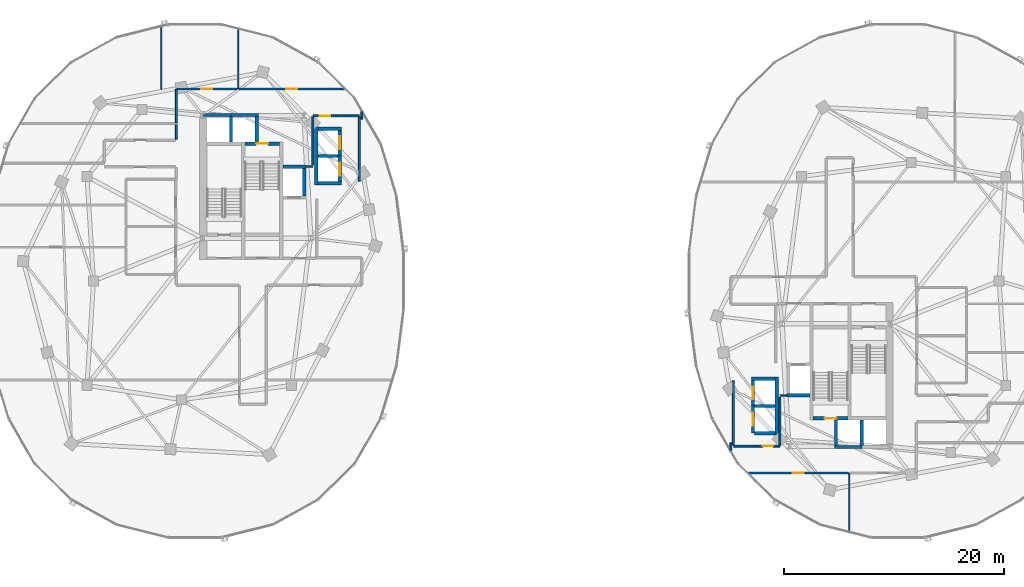
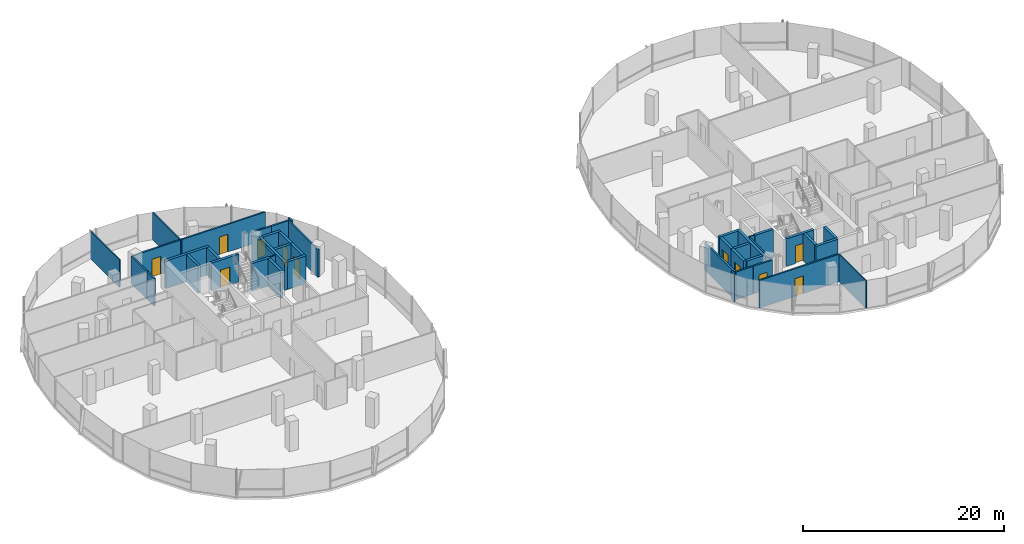
# One storey, part 13 of 22: 44 walls, 11 doors, 11 openings.
"""IFC4 building model written with IfcOpenShell, lengths in metres."""

from ifc_helpers import new_model, si_unit, direction, frame, frame_2d, origin, place, context, subcontext, project, spatial, rectangle, extrude, material, layer, layer_set, type_object, element, fill, save


model = new_model("IFC4")

# Units and contexts
model_context = context("Model", 3, precision=1e-05, world=origin(), true_north=direction((0.0, 1.0)))
body_context = subcontext(model_context, "Body", "Model", "MODEL_VIEW")
ifc_project = project(units=[si_unit("LENGTHUNIT", "METRE"), si_unit("AREAUNIT", "SQUARE_METRE"), si_unit("VOLUMEUNIT", "CUBIC_METRE"), si_unit("PLANEANGLEUNIT", "RADIAN"), si_unit("MASSUNIT", "GRAM", prefix="KILO"), si_unit("THERMODYNAMICTEMPERATUREUNIT", "KELVIN"), si_unit("POWERUNIT", "WATT")], contexts=[model_context])

# Site, building, storey
site_placement = place(None, origin())
site = spatial("IfcSite", under=ifc_project, at=site_placement, CompositionType="ELEMENT")
building_placement = place(site_placement, origin())
building = spatial("IfcBuilding", under=site, at=building_placement, Name="Cundina Bronze Exchange", CompositionType="ELEMENT")
storey_placement = place(building_placement, frame((0.0, 0.0, 151.199951171875)))
storey = spatial("IfcBuildingStorey", under=building, at=storey_placement, Name="L39", CompositionType="ELEMENT", Elevation=151.199951171875)

# Wall
ifc_material_1 = material(Name="Gypsum Fireboard Partition EI120")
ifc_layer_1 = layer(ifc_material_1, 0.179931640625, Name="Gypsum Fireboard Partition EI120")
ifc_layer_set_1 = layer_set([ifc_layer_1], Name="Gypsum Fireboard Partition EI120")
wall_type_1 = type_object("IfcWallType", Name="WL-COR-180", PredefinedType="PARTITIONING", material=ifc_layer_set_1)
wall_1_placement = place(storey_placement, frame((-17.02001953125, 9.070068359375, 0.0), z_axis=(0.0, 0.0, 1.0), x_axis=(0.0, 1.0, 0.0)))
element("IfcWall", 1, at=wall_1_placement, inside=storey, type_object=wall_type_1, Name="L39 Interior Partition 001", PredefinedType="PARTITIONING", context=body_context, shape_type="SweptSolid", body=[
    extrude(rectangle(XDim=5.85986328125, YDim=0.179931640625, at=frame_2d((2.929931640625, 0.0))), origin(), (0.0, 0.0, 1.0), 3.360107421875),
])

# Wall, opening, door
wall_2_placement = place(storey_placement, frame((-21.22998046875, 15.030029296875, 0.0), z_axis=(0.0, 0.0, 1.0), x_axis=(1.0, 0.0, 0.0)))
wall_2 = element("IfcWall", 2, at=wall_2_placement, inside=storey, type_object=wall_type_1, Name="L39 Interior Partition 002", PredefinedType="PARTITIONING", context=body_context, shape_type="SweptSolid", body=[
    extrude(rectangle(XDim=2.159912109375, YDim=0.179931640625, at=frame_2d((1.080078125, 0.0))), origin(), (0.0, 0.0, 1.0), 3.360107421875),
])
opening_1_placement = place(wall_2_placement, frame((0.60498046875, 0.0, 0.0)))
opening_1 = element("IfcOpeningElement", 3, at=opening_1_placement, cuts=wall_2, Name="Opening DW-01", PredefinedType="OPENING", context=body_context, shape_type="SweptSolid", body=[
    extrude(rectangle(XDim=0.949951171875, YDim=2.10009765625, at=frame_2d((0.47509765625, 1.050048828125))), frame((0.0, 0.099853515625, 0.0), z_axis=(0.0, -1.0, 0.0), x_axis=(1.0, 0.0, 0.0)), (0.0, 0.0, 1.0), 0.199951171875),
])
ifc_material_2 = material(Name="Solid Andean Oak Timber Grade A", Category="wood")
door_type_1 = type_object("IfcDoorType", Name="DR-WC-950", OperationType="NOTDEFINED", PredefinedType="DOOR", material=ifc_material_2)
door_1_placement = place(opening_1_placement, origin())
door_1 = element("IfcDoor", 4, at=door_1_placement, inside=storey, type_object=door_type_1, Name="L39 Interior Door 002", OperationType="SINGLE_SWING_RIGHT", OverallHeight=2.10009765625, OverallWidth=0.949951171875, PredefinedType="DOOR", context=body_context, shape_type="SweptSolid", body=[
    extrude(rectangle(XDim=0.949951171875, YDim=2.10009765625, at=frame_2d((0.47509765625, 1.050048828125))), frame((0.0, 0.02490234375, 0.0), z_axis=(0.0, -1.0, 0.0), x_axis=(1.0, 0.0, 0.0)), (0.0, 0.0, 1.0), 0.050048828125),
])
fill(opening_1, door_1)

# Walls
wall_3_placement = place(storey_placement, frame((-19.030029296875, 15.030029296875, 0.0), z_axis=(0.0, 0.0, 1.0), x_axis=(1.0, 0.0, 0.0)))
element("IfcWall", 5, at=wall_3_placement, inside=storey, type_object=wall_type_1, Name="L39 Interior Partition 003", PredefinedType="PARTITIONING", context=body_context, shape_type="SweptSolid", body=[
    extrude(rectangle(XDim=1.989990234375, YDim=0.179931640625, at=frame_2d((0.9951171875, 0.0))), origin(), (0.0, 0.0, 1.0), 3.360107421875),
])
wall_4_placement = place(storey_placement, frame((-21.25, 10.570068359375, 0.0), z_axis=(0.0, 0.0, 1.0), x_axis=(0.0, 1.0, 0.0)))
element("IfcWall", 6, at=wall_4_placement, inside=storey, type_object=wall_type_1, Name="L39 Interior Partition 005", PredefinedType="PARTITIONING", context=body_context, shape_type="SweptSolid", body=[
    extrude(rectangle(XDim=4.35986328125, YDim=0.179931640625, at=frame_2d((2.179931640625, 0.0))), origin(), (0.0, 0.0, 1.0), 3.360107421875),
])
wall_5_placement = place(storey_placement, frame((-16.780029296875, 14.721435546875, 0.0), z_axis=(0.0, 0.0, 1.0), x_axis=(0.0, 1.0, 0.0)))
element("IfcWall", 7, at=wall_5_placement, inside=storey, type_object=wall_type_1, Name="L39 Interior Partition 033", PredefinedType="PARTITIONING", context=body_context, shape_type="SweptSolid", body=[
    extrude(rectangle(XDim=0.68359375, YDim=0.179931640625, at=frame_2d((0.341796875, 0.0))), origin(), (0.0, 0.0, 1.0), 3.360107421875),
])
wall_6_placement = place(storey_placement, frame((-33.669921875, 14.22998046875, 0.0), z_axis=(0.0, 0.0, 1.0), x_axis=(0.0, -1.0, 0.0)))
element("IfcWall", 8, at=wall_6_placement, inside=storey, type_object=wall_type_1, Name="L39 Interior Partition 038", PredefinedType="PARTITIONING", context=body_context, shape_type="SweptSolid", body=[
    extrude(rectangle(XDim=1.330078125, YDim=0.179931640625, at=frame_2d((0.6650390625, 0.0))), origin(), (0.0, 0.0, 1.0), 3.360107421875),
])

# Wall, opening, door
wall_7_placement = place(storey_placement, frame((-28.1298828125, 17.469970703125, 0.0), z_axis=(0.0, 0.0, 1.0), x_axis=(-1.0, 0.0, 0.0)))
wall_7 = element("IfcWall", 9, at=wall_7_placement, inside=storey, type_object=wall_type_1, Name="L39 Interior Partition 039", PredefinedType="PARTITIONING", context=body_context, shape_type="SweptSolid", body=[
    extrude(rectangle(XDim=5.49853515625, YDim=0.179931640625, at=frame_2d((2.749267578125, 0.0))), origin(), (0.0, 0.0, 1.0), 3.360107421875),
])
opening_2_placement = place(wall_7_placement, frame((2.249267578125, 0.0, 0.0)))
opening_2 = element("IfcOpeningElement", 10, at=opening_2_placement, cuts=wall_7, Name="Opening DO-01", PredefinedType="OPENING", context=body_context, shape_type="SweptSolid", body=[
    extrude(rectangle(XDim=1.0, YDim=2.14990234375, at=frame_2d((0.5, 1.074951171875))), frame((0.0, 0.099853515625, 0.0), z_axis=(0.0, -1.0, 0.0), x_axis=(1.0, 0.0, 0.0)), (0.0, 0.0, 1.0), 0.199951171875),
])
door_type_2 = type_object("IfcDoorType", Name="DR-OFF-1000", OperationType="NOTDEFINED", PredefinedType="DOOR", material=ifc_material_2)
door_2_placement = place(opening_2_placement, origin())
door_2 = element("IfcDoor", 11, at=door_2_placement, inside=storey, type_object=door_type_2, Name="L39 Interior Door 039", OperationType="SINGLE_SWING_LEFT", OverallHeight=2.14990234375, OverallWidth=1.0, PredefinedType="DOOR", context=body_context, shape_type="SweptSolid", body=[
    extrude(rectangle(XDim=1.0, YDim=2.14990234375, at=frame_2d((0.5, 1.074951171875))), frame((0.0, 0.02490234375, 0.0), z_axis=(0.0, -1.0, 0.0), x_axis=(1.0, 0.0, 0.0)), (0.0, 0.0, 1.0), 0.050048828125),
])
fill(opening_2, door_2)

# Wall
wall_8_placement = place(storey_placement, frame((-33.669921875, 17.428466796875, 0.0), z_axis=(0.0, 0.0, 1.0), x_axis=(0.0, -1.0, 0.0)))
element("IfcWall", 12, at=wall_8_placement, inside=storey, type_object=wall_type_1, Name="L39 Interior Partition 040", PredefinedType="PARTITIONING", context=body_context, shape_type="SweptSolid", body=[
    extrude(rectangle(XDim=3.0185546875, YDim=0.179931640625, at=frame_2d((1.50927734375, 0.0))), origin(), (0.0, 0.0, 1.0), 3.360107421875),
])

# Wall, opening, door
wall_9_placement = place(storey_placement, frame((-18.341796875, 17.469970703125, 0.0), z_axis=(0.0, 0.0, 1.0), x_axis=(-1.0, 0.0, 0.0)))
wall_9 = element("IfcWall", 13, at=wall_9_placement, inside=storey, type_object=wall_type_1, Name="L39 Interior Partition 041", PredefinedType="PARTITIONING", context=body_context, shape_type="SweptSolid", body=[
    extrude(rectangle(XDim=9.608154296875, YDim=0.179931640625, at=frame_2d((4.80419921875, 0.0))), origin(), (0.0, 0.0, 1.0), 3.360107421875),
])
opening_3_placement = place(wall_9_placement, frame((4.30419921875, 0.0, 0.0)))
opening_3 = element("IfcOpeningElement", 14, at=opening_3_placement, cuts=wall_9, Name="Opening DO-01", PredefinedType="OPENING", context=body_context, shape_type="SweptSolid", body=[
    extrude(rectangle(XDim=1.0, YDim=2.14990234375, at=frame_2d((0.5, 1.074951171875))), frame((0.0, 0.099853515625, 0.0), z_axis=(0.0, -1.0, 0.0), x_axis=(1.0, 0.0, 0.0)), (0.0, 0.0, 1.0), 0.199951171875),
])
door_3_placement = place(opening_3_placement, origin())
door_3 = element("IfcDoor", 15, at=door_3_placement, inside=storey, type_object=door_type_2, Name="L39 Interior Door 041", OperationType="SINGLE_SWING_RIGHT", OverallHeight=2.14990234375, OverallWidth=1.0, PredefinedType="DOOR", context=body_context, shape_type="SweptSolid", body=[
    extrude(rectangle(XDim=1.0, YDim=2.14990234375, at=frame_2d((0.5, 1.074951171875))), frame((0.0, 0.02490234375, 0.0), z_axis=(0.0, -1.0, 0.0), x_axis=(1.0, 0.0, 0.0)), (0.0, 0.0, 1.0), 0.050048828125),
])
fill(opening_3, door_3)

# Walls
wall_10_placement = place(storey_placement, frame((17.02001953125, -14.929931640625, 0.0), z_axis=(0.0, 0.0, 1.0), x_axis=(0.0, 1.0, 0.0)))
element("IfcWall", 16, at=wall_10_placement, inside=storey, type_object=wall_type_1, Name="L39 Interior Partition 043", PredefinedType="PARTITIONING", context=body_context, shape_type="SweptSolid", body=[
    extrude(rectangle(XDim=5.85986328125, YDim=0.179931640625, at=frame_2d((2.929931640625, 0.0))), origin(), (0.0, 0.0, 1.0), 3.360107421875),
])
wall_11_placement = place(storey_placement, frame((17.0400390625, -15.030029296875, 0.0), z_axis=(0.0, 0.0, 1.0), x_axis=(1.0, 0.0, 0.0)))
element("IfcWall", 17, at=wall_11_placement, inside=storey, type_object=wall_type_1, Name="L39 Interior Partition 044", PredefinedType="PARTITIONING", context=body_context, shape_type="SweptSolid", body=[
    extrude(rectangle(XDim=1.989990234375, YDim=0.179931640625, at=frame_2d((0.9951171875, 0.0))), origin(), (0.0, 0.0, 1.0), 3.360107421875),
])

# Wall, opening, door
wall_12_placement = place(storey_placement, frame((21.22998046875, -15.030029296875, 0.0), z_axis=(0.0, 0.0, 1.0), x_axis=(-1.0, 0.0, 0.0)))
wall_12 = element("IfcWall", 18, at=wall_12_placement, inside=storey, type_object=wall_type_1, Name="L39 Interior Partition 045", PredefinedType="PARTITIONING", context=body_context, shape_type="SweptSolid", body=[
    extrude(rectangle(XDim=2.159912109375, YDim=0.179931640625, at=frame_2d((1.080078125, 0.0))), origin(), (0.0, 0.0, 1.0), 3.360107421875),
])
opening_4_placement = place(wall_12_placement, frame((0.60498046875, 0.0, 0.0)))
opening_4 = element("IfcOpeningElement", 19, at=opening_4_placement, cuts=wall_12, Name="Opening DW-01", PredefinedType="OPENING", context=body_context, shape_type="SweptSolid", body=[
    extrude(rectangle(XDim=0.949951171875, YDim=2.10009765625, at=frame_2d((0.47509765625, 1.050048828125))), frame((0.0, 0.099853515625, 0.0), z_axis=(0.0, -1.0, 0.0), x_axis=(1.0, 0.0, 0.0)), (0.0, 0.0, 1.0), 0.199951171875),
])
door_4_placement = place(opening_4_placement, origin())
door_4 = element("IfcDoor", 20, at=door_4_placement, inside=storey, type_object=door_type_1, Name="L39 Interior Door 045", OperationType="SINGLE_SWING_LEFT", OverallHeight=2.10009765625, OverallWidth=0.949951171875, PredefinedType="DOOR", context=body_context, shape_type="SweptSolid", body=[
    extrude(rectangle(XDim=0.949951171875, YDim=2.10009765625, at=frame_2d((0.47509765625, 1.050048828125))), frame((0.0, 0.02490234375, 0.0), z_axis=(0.0, -1.0, 0.0), x_axis=(1.0, 0.0, 0.0)), (0.0, 0.0, 1.0), 0.050048828125),
])
fill(opening_4, door_4)

# Wall
wall_13_placement = place(storey_placement, frame((21.25, -14.929931640625, 0.0), z_axis=(0.0, 0.0, 1.0), x_axis=(0.0, 1.0, 0.0)))
element("IfcWall", 21, at=wall_13_placement, inside=storey, type_object=wall_type_1, Name="L39 Interior Partition 047", PredefinedType="PARTITIONING", context=body_context, shape_type="SweptSolid", body=[
    extrude(rectangle(XDim=4.35986328125, YDim=0.179931640625, at=frame_2d((2.179931640625, 0.0))), origin(), (0.0, 0.0, 1.0), 3.360107421875),
])

# Wall, opening, door
wall_14_placement = place(storey_placement, frame((18.341796875, -17.469970703125, 0.0), z_axis=(0.0, 0.0, 1.0), x_axis=(1.0, 0.0, 0.0)))
wall_14 = element("IfcWall", 22, at=wall_14_placement, inside=storey, type_object=wall_type_1, Name="L39 Interior Partition 065", PredefinedType="PARTITIONING", context=body_context, shape_type="SweptSolid", body=[
    extrude(rectangle(XDim=9.128173828125, YDim=0.179931640625, at=frame_2d((4.56396484375, 0.0))), origin(), (0.0, 0.0, 1.0), 3.360107421875),
])
opening_5_placement = place(wall_14_placement, frame((4.064208984375, 0.0, 0.0)))
opening_5 = element("IfcOpeningElement", 23, at=opening_5_placement, cuts=wall_14, Name="Opening DO-01", PredefinedType="OPENING", context=body_context, shape_type="SweptSolid", body=[
    extrude(rectangle(XDim=1.0, YDim=2.14990234375, at=frame_2d((0.5, 1.074951171875))), frame((0.0, 0.099853515625, 0.0), z_axis=(0.0, -1.0, 0.0), x_axis=(1.0, 0.0, 0.0)), (0.0, 0.0, 1.0), 0.199951171875),
])
door_5_placement = place(opening_5_placement, origin())
door_5 = element("IfcDoor", 24, at=door_5_placement, inside=storey, type_object=door_type_2, Name="L39 Interior Door 065", OperationType="SINGLE_SWING_LEFT", OverallHeight=2.14990234375, OverallWidth=1.0, PredefinedType="DOOR", context=body_context, shape_type="SweptSolid", body=[
    extrude(rectangle(XDim=1.0, YDim=2.14990234375, at=frame_2d((0.5, 1.074951171875))), frame((0.0, 0.02490234375, 0.0), z_axis=(0.0, -1.0, 0.0), x_axis=(1.0, 0.0, 0.0)), (0.0, 0.0, 1.0), 0.050048828125),
])
fill(opening_5, door_5)

# Walls
wall_15_placement = place(storey_placement, frame((16.780029296875, -14.721435546875, 0.0), z_axis=(0.0, 0.0, 1.0), x_axis=(0.0, -1.0, 0.0)))
element("IfcWall", 25, at=wall_15_placement, inside=storey, type_object=wall_type_1, Name="L39 Interior Partition 077", PredefinedType="PARTITIONING", context=body_context, shape_type="SweptSolid", body=[
    extrude(rectangle(XDim=0.68359375, YDim=0.179931640625, at=frame_2d((0.341796875, 0.0))), origin(), (0.0, 0.0, 1.0), 3.360107421875),
])
ifc_material_3 = material(Name="Gypsum Acoustic Partition EI60")
ifc_layer_2 = layer(ifc_material_3, 0.125, Name="Gypsum Acoustic Partition EI60")
ifc_layer_set_2 = layer_set([ifc_layer_2], Name="Gypsum Acoustic Partition EI60")
wall_type_2 = type_object("IfcWallType", Name="WL-OFF-125", PredefinedType="PARTITIONING", material=ifc_layer_set_2)
wall_16_placement = place(storey_placement, frame((-35.0400390625, 17.469970703125, 0.0), z_axis=(0.0, 0.0, 1.0), x_axis=(0.0, 1.0, 0.0)))
element("IfcWall", 26, at=wall_16_placement, inside=storey, type_object=wall_type_2, Name="L39 Interior Partition 021", PredefinedType="PARTITIONING", context=body_context, shape_type="SweptSolid", body=[
    extrude(rectangle(XDim=5.78173828125, YDim=0.125, at=frame_2d((2.890869140625, 0.0))), origin(), (0.0, 0.0, 1.0), 3.360107421875),
])
wall_17_placement = place(storey_placement, frame((-28.0400390625, 17.5, 0.0), z_axis=(0.0, 0.0, 1.0), x_axis=(0.0, 1.0, 0.0)))
element("IfcWall", 27, at=wall_17_placement, inside=storey, type_object=wall_type_2, Name="L39 Interior Partition 022", PredefinedType="PARTITIONING", context=body_context, shape_type="SweptSolid", body=[
    extrude(rectangle(XDim=5.521484375, YDim=0.125, at=frame_2d((2.7607421875, 0.0))), origin(), (0.0, 0.0, 1.0), 3.360107421875),
])
wall_18_placement = place(storey_placement, frame((27.56005859375, -22.9013671875, 0.0), z_axis=(0.0, 0.0, 1.0), x_axis=(0.0, 1.0, 0.0)))
element("IfcWall", 28, at=wall_18_placement, inside=storey, type_object=wall_type_2, Name="L39 Interior Partition 064", PredefinedType="PARTITIONING", context=body_context, shape_type="SweptSolid", body=[
    extrude(rectangle(XDim=5.4013671875, YDim=0.125, at=frame_2d((2.70068359375, 0.0))), origin(), (0.0, 0.0, 1.0), 3.360107421875),
])

# Wall, opening, door
ifc_material_4 = material(Name="Concrete C50/60", Category="concrete")
ifc_layer_3 = layer(ifc_material_4, 0.300048828125, Name="Concrete C50/60", Category="concrete")
ifc_layer_set_3 = layer_set([ifc_layer_3], Name="Concrete C50/60")
wall_type_3 = type_object("IfcWallType", Name="WL-SHFT-300", PredefinedType="SHEAR", material=ifc_layer_set_3)
wall_19_placement = place(storey_placement, frame((-27.43994140625, 12.5, 0.0), z_axis=(0.0, 0.0, 1.0), x_axis=(1.0, 0.0, 0.0)))
wall_19 = element("IfcWall", 29, at=wall_19_placement, inside=storey, type_object=wall_type_3, Name="L39 Stair W2 Landing Wall", PredefinedType="SHEAR", context=body_context, shape_type="SweptSolid", body=[
    extrude(rectangle(XDim=3.159912109375, YDim=0.300048828125, at=frame_2d((1.580078125, 0.0))), origin(), (0.0, 0.0, 1.0), 3.360107421875),
])
opening_6_placement = place(wall_19_placement, frame((1.030029296875, 0.0, 0.0)))
opening_6 = element("IfcOpeningElement", 30, at=opening_6_placement, cuts=wall_19, Name="Opening DS-01", PredefinedType="OPENING", context=body_context, shape_type="SweptSolid", body=[
    extrude(rectangle(XDim=1.10009765625, YDim=2.14990234375, at=frame_2d((0.550048828125, 1.074951171875))), frame((0.0, 0.159912109375, 0.0), z_axis=(0.0, -1.0, 0.0), x_axis=(1.0, 0.0, 0.0)), (0.0, 0.0, 1.0), 0.320068359375),
])
ifc_material_5 = material(Name="Steel ASTM A36 Painted", Category="steel")
door_type_3 = type_object("IfcDoorType", Name="DR-STR-1100", OperationType="NOTDEFINED", PredefinedType="DOOR", material=ifc_material_5)
door_6_placement = place(opening_6_placement, origin())
door_6 = element("IfcDoor", 31, at=door_6_placement, inside=storey, type_object=door_type_3, Name="L39 Smokeproof Stair W2 Door", OperationType="SINGLE_SWING_LEFT", OverallHeight=2.14990234375, OverallWidth=1.10009765625, PredefinedType="DOOR", context=body_context, shape_type="SweptSolid", body=[
    extrude(rectangle(XDim=1.10009765625, YDim=2.14990234375, at=frame_2d((0.550048828125, 1.074951171875))), frame((0.0, 0.02490234375, 0.0), z_axis=(0.0, -1.0, 0.0), x_axis=(1.0, 0.0, 0.0)), (0.0, 0.0, 1.0), 0.050048828125),
])
fill(opening_6, door_6)

# Walls
wall_20_placement = place(storey_placement, frame((-23.97998046875, 10.39990234375, 0.0), z_axis=(0.0, 0.0, 1.0), x_axis=(1.0, 0.0, 0.0)))
element("IfcWall", 32, at=wall_20_placement, inside=storey, type_object=wall_type_3, Name="L39 FFL-W Hoistway Back Wall", PredefinedType="SHEAR", context=body_context, shape_type="SweptSolid", body=[
    extrude(rectangle(XDim=2.10009765625, YDim=0.300048828125, at=frame_2d((1.050048828125, 0.0))), origin(), (0.0, 0.0, 1.0), 3.360107421875),
])
for number, where, z_axis, x_axis, name in (
    (33, (-22.030029296875, 7.75, 0.0), (0.0, 0.0, 1.0), (0.0, 1.0, 0.0), "L39 FFL-W Hoistway Side Wall"),
    (34, (-31.199951171875, 15.10009765625, 0.0), (0.0, 0.0, 1.0), (1.0, 0.0, 0.0), "L39 PH-W1 Hoistway Front Wall"),
):
    element("IfcWall", number, at=place(storey_placement, frame(where, z_axis=z_axis, x_axis=x_axis)), inside=storey, type_object=wall_type_3, Name=name, PredefinedType="SHEAR", context=body_context, shape_type="SweptSolid", body=[
        extrude(rectangle(XDim=2.5, YDim=0.300048828125, at=frame_2d((1.25, 0.0))), origin(), (0.0, 0.0, 1.0), 3.360107421875),
    ])
wall_21_placement = place(storey_placement, frame((-28.699951171875, 12.64990234375, 0.0), z_axis=(0.0, 0.0, 1.0), x_axis=(0.0, 1.0, 0.0)))
element("IfcWall", 35, at=wall_21_placement, inside=storey, type_object=wall_type_3, Name="L39 PH-W1 Hoistway Divider Wall", PredefinedType="SHEAR", context=body_context, shape_type="SweptSolid", body=[
    extrude(rectangle(XDim=2.300048828125, YDim=0.300048828125, at=frame_2d((1.14990234375, 0.0))), origin(), (0.0, 0.0, 1.0), 3.360107421875),
])
wall_22_placement = place(storey_placement, frame((-28.699951171875, 15.10009765625, 0.0), z_axis=(0.0, 0.0, 1.0), x_axis=(1.0, 0.0, 0.0)))
element("IfcWall", 36, at=wall_22_placement, inside=storey, type_object=wall_type_3, Name="L39 PH-W2 Hoistway Front Wall", PredefinedType="SHEAR", context=body_context, shape_type="SweptSolid", body=[
    extrude(rectangle(XDim=2.5, YDim=0.300048828125, at=frame_2d((1.25, 0.0))), origin(), (0.0, 0.0, 1.0), 3.360107421875),
])
wall_23_placement = place(storey_placement, frame((-26.35009765625, 12.64990234375, 0.0), z_axis=(0.0, 0.0, 1.0), x_axis=(0.0, 1.0, 0.0)))
element("IfcWall", 37, at=wall_23_placement, inside=storey, type_object=wall_type_3, Name="L39 PH-W2 Hoistway Divider Wall", PredefinedType="SHEAR", context=body_context, shape_type="SweptSolid", body=[
    extrude(rectangle(XDim=2.300048828125, YDim=0.300048828125, at=frame_2d((1.14990234375, 0.0))), origin(), (0.0, 0.0, 1.0), 3.360107421875),
])
wall_24_placement = place(storey_placement, frame((-20.949951171875, 8.75, 0.0), z_axis=(0.0, 0.0, 1.0), x_axis=(0.0, 1.0, 0.0)))
element("IfcWall", 38, at=wall_24_placement, inside=storey, type_object=wall_type_3, Name="L39 W Passenger Bank Hoistway Back Wall", PredefinedType="SHEAR", context=body_context, shape_type="SweptSolid", body=[
    extrude(rectangle(XDim=5.25, YDim=0.300048828125, at=frame_2d((2.625, 0.0))), origin(), (0.0, 0.0, 1.0), 3.360107421875),
])
for number, where, z_axis, x_axis, name in (
    (39, (-20.800048828125, 8.89990234375, 0.0), (0.0, 0.0, 1.0), (1.0, 0.0, 0.0), "L39 W Passenger Bank South Cap Wall"),
    (40, (-20.800048828125, 13.85009765625, 0.0), (0.0, 0.0, 1.0), (1.0, 0.0, 0.0), "L39 W Passenger Bank North Cap Wall"),
):
    element("IfcWall", number, at=place(storey_placement, frame(where, z_axis=z_axis, x_axis=x_axis)), inside=storey, type_object=wall_type_3, Name=name, PredefinedType="SHEAR", context=body_context, shape_type="SweptSolid", body=[
        extrude(rectangle(XDim=2.150146484375, YDim=0.300048828125, at=frame_2d((1.0751953125, 0.0))), origin(), (0.0, 0.0, 1.0), 3.360107421875),
    ])
wall_25_placement = place(storey_placement, frame((-20.800048828125, 11.375, 0.0), z_axis=(0.0, 0.0, 1.0), x_axis=(1.0, 0.0, 0.0)))
element("IfcWall", 41, at=wall_25_placement, inside=storey, type_object=wall_type_3, Name="L39 W Passenger Hoistway Divider 1", PredefinedType="SHEAR", context=body_context, shape_type="SweptSolid", body=[
    extrude(rectangle(XDim=1.85009765625, YDim=0.300048828125, at=frame_2d((0.925048828125, 0.0))), origin(), (0.0, 0.0, 1.0), 3.360107421875),
])

# Wall, opening, door
wall_26_placement = place(storey_placement, frame((-18.800048828125, 8.929931640625, 0.0), z_axis=(0.0, 0.0, 1.0), x_axis=(0.0, 1.0, 0.0)))
wall_26 = element("IfcWall", 42, at=wall_26_placement, inside=storey, type_object=wall_type_3, Name="L39 PM-W2 Hoistway Front Wall", PredefinedType="SHEAR", context=body_context, shape_type="SweptSolid", body=[
    extrude(rectangle(XDim=2.489990234375, YDim=0.300048828125, at=frame_2d((1.2451171875, 0.0))), origin(), (0.0, 0.0, 1.0), 3.360107421875),
])
opening_7_placement = place(wall_26_placement, frame((0.669921875, 0.0, 0.0)))
opening_7 = element("IfcOpeningElement", 43, at=opening_7_placement, cuts=wall_26, Name="Opening LD-01", PredefinedType="OPENING", context=body_context, shape_type="SweptSolid", body=[
    extrude(rectangle(XDim=1.14990234375, YDim=2.199951171875, at=frame_2d((0.574951171875, 1.10009765625))), frame((0.0, 0.159912109375, 0.0), z_axis=(0.0, -1.0, 0.0), x_axis=(1.0, 0.0, 0.0)), (0.0, 0.0, 1.0), 0.320068359375),
])
door_type_4 = type_object("IfcDoorType", Name="DR-LND-1150", OperationType="NOTDEFINED", PredefinedType="TRAPDOOR", material=ifc_material_5)
door_7_placement = place(opening_7_placement, origin())
door_7 = element("IfcDoor", 44, at=door_7_placement, inside=storey, type_object=door_type_4, Name="L39 PM-W2 Sliding Landing Door", OperationType="SLIDING_TO_LEFT", OverallHeight=2.199951171875, OverallWidth=1.14990234375, PredefinedType="TRAPDOOR", context=body_context, shape_type="SweptSolid", body=[
    extrude(rectangle(XDim=1.14990234375, YDim=2.199951171875, at=frame_2d((0.574951171875, 1.10009765625))), frame((0.0, 0.02490234375, 0.0), z_axis=(0.0, -1.0, 0.0), x_axis=(1.0, 0.0, 0.0)), (0.0, 0.0, 1.0), 0.050048828125),
])
fill(opening_7, door_7)

wall_27_placement = place(storey_placement, frame((-18.800048828125, 11.330078125, 0.0), z_axis=(0.0, 0.0, 1.0), x_axis=(0.0, 1.0, 0.0)))
wall_27 = element("IfcWall", 45, at=wall_27_placement, inside=storey, type_object=wall_type_3, Name="L39 PM-W1 Hoistway Front Wall", PredefinedType="SHEAR", context=body_context, shape_type="SweptSolid", body=[
    extrude(rectangle(XDim=2.489990234375, YDim=0.300048828125, at=frame_2d((1.2451171875, 0.0))), origin(), (0.0, 0.0, 1.0), 3.360107421875),
])
opening_8_placement = place(wall_27_placement, frame((0.669921875, 0.0, 0.0)))
opening_8 = element("IfcOpeningElement", 46, at=opening_8_placement, cuts=wall_27, Name="Opening LD-01", PredefinedType="OPENING", context=body_context, shape_type="SweptSolid", body=[
    extrude(rectangle(XDim=1.14990234375, YDim=2.199951171875, at=frame_2d((0.574951171875, 1.10009765625))), frame((0.0, 0.159912109375, 0.0), z_axis=(0.0, -1.0, 0.0), x_axis=(1.0, 0.0, 0.0)), (0.0, 0.0, 1.0), 0.320068359375),
])
door_8_placement = place(opening_8_placement, origin())
door_8 = element("IfcDoor", 47, at=door_8_placement, inside=storey, type_object=door_type_4, Name="L39 PM-W1 Sliding Landing Door", OperationType="SLIDING_TO_LEFT", OverallHeight=2.199951171875, OverallWidth=1.14990234375, PredefinedType="TRAPDOOR", context=body_context, shape_type="SweptSolid", body=[
    extrude(rectangle(XDim=1.14990234375, YDim=2.199951171875, at=frame_2d((0.574951171875, 1.10009765625))), frame((0.0, 0.02490234375, 0.0), z_axis=(0.0, -1.0, 0.0), x_axis=(1.0, 0.0, 0.0)), (0.0, 0.0, 1.0), 0.050048828125),
])
fill(opening_8, door_8)

wall_28_placement = place(storey_placement, frame((24.280029296875, -12.5, 0.0), z_axis=(0.0, 0.0, 1.0), x_axis=(1.0, 0.0, 0.0)))
wall_28 = element("IfcWall", 48, at=wall_28_placement, inside=storey, type_object=wall_type_3, Name="L39 Stair E2 Landing Wall", PredefinedType="SHEAR", context=body_context, shape_type="SweptSolid", body=[
    extrude(rectangle(XDim=3.159912109375, YDim=0.300048828125, at=frame_2d((1.580078125, 0.0))), origin(), (0.0, 0.0, 1.0), 3.360107421875),
])
opening_9_placement = place(wall_28_placement, frame((1.030029296875, 0.0, 0.0)))
opening_9 = element("IfcOpeningElement", 49, at=opening_9_placement, cuts=wall_28, Name="Opening DS-01", PredefinedType="OPENING", context=body_context, shape_type="SweptSolid", body=[
    extrude(rectangle(XDim=1.10009765625, YDim=2.14990234375, at=frame_2d((0.550048828125, 1.074951171875))), frame((0.0, 0.159912109375, 0.0), z_axis=(0.0, -1.0, 0.0), x_axis=(1.0, 0.0, 0.0)), (0.0, 0.0, 1.0), 0.320068359375),
])
door_9_placement = place(opening_9_placement, origin())
door_9 = element("IfcDoor", 50, at=door_9_placement, inside=storey, type_object=door_type_3, Name="L39 Smokeproof Stair E2 Door", OperationType="SINGLE_SWING_RIGHT", OverallHeight=2.14990234375, OverallWidth=1.10009765625, PredefinedType="DOOR", context=body_context, shape_type="SweptSolid", body=[
    extrude(rectangle(XDim=1.10009765625, YDim=2.14990234375, at=frame_2d((0.550048828125, 1.074951171875))), frame((0.0, 0.02490234375, 0.0), z_axis=(0.0, -1.0, 0.0), x_axis=(1.0, 0.0, 0.0)), (0.0, 0.0, 1.0), 0.050048828125),
])
fill(opening_9, door_9)

# Walls
wall_29_placement = place(storey_placement, frame((21.8798828125, -10.39990234375, 0.0), z_axis=(0.0, 0.0, 1.0), x_axis=(1.0, 0.0, 0.0)))
element("IfcWall", 51, at=wall_29_placement, inside=storey, type_object=wall_type_3, Name="L39 FFL-E Hoistway Back Wall", PredefinedType="SHEAR", context=body_context, shape_type="SweptSolid", body=[
    extrude(rectangle(XDim=2.10009765625, YDim=0.300048828125, at=frame_2d((1.050048828125, 0.0))), origin(), (0.0, 0.0, 1.0), 3.360107421875),
])
wall_30_placement = place(storey_placement, frame((28.699951171875, -14.949951171875, 0.0), z_axis=(0.0, 0.0, 1.0), x_axis=(0.0, 1.0, 0.0)))
element("IfcWall", 52, at=wall_30_placement, inside=storey, type_object=wall_type_3, Name="L39 PH-E1 Hoistway Divider Wall", PredefinedType="SHEAR", context=body_context, shape_type="SweptSolid", body=[
    extrude(rectangle(XDim=2.300048828125, YDim=0.300048828125, at=frame_2d((1.14990234375, 0.0))), origin(), (0.0, 0.0, 1.0), 3.360107421875),
])
wall_31_placement = place(storey_placement, frame((26.199951171875, -15.10009765625, 0.0), z_axis=(0.0, 0.0, 1.0), x_axis=(1.0, 0.0, 0.0)))
element("IfcWall", 53, at=wall_31_placement, inside=storey, type_object=wall_type_3, Name="L39 PH-E2 Hoistway Front Wall", PredefinedType="SHEAR", context=body_context, shape_type="SweptSolid", body=[
    extrude(rectangle(XDim=2.5, YDim=0.300048828125, at=frame_2d((1.25, 0.0))), origin(), (0.0, 0.0, 1.0), 3.360107421875),
])
wall_32_placement = place(storey_placement, frame((26.35009765625, -14.949951171875, 0.0), z_axis=(0.0, 0.0, 1.0), x_axis=(0.0, 1.0, 0.0)))
element("IfcWall", 54, at=wall_32_placement, inside=storey, type_object=wall_type_3, Name="L39 PH-E2 Hoistway Divider Wall", PredefinedType="SHEAR", context=body_context, shape_type="SweptSolid", body=[
    extrude(rectangle(XDim=2.300048828125, YDim=0.300048828125, at=frame_2d((1.14990234375, 0.0))), origin(), (0.0, 0.0, 1.0), 3.360107421875),
])
wall_33_placement = place(storey_placement, frame((20.949951171875, -14.0, 0.0), z_axis=(0.0, 0.0, 1.0), x_axis=(0.0, 1.0, 0.0)))
element("IfcWall", 55, at=wall_33_placement, inside=storey, type_object=wall_type_3, Name="L39 E Passenger Bank Hoistway Back Wall", PredefinedType="SHEAR", context=body_context, shape_type="SweptSolid", body=[
    extrude(rectangle(XDim=5.25, YDim=0.300048828125, at=frame_2d((2.625, 0.0))), origin(), (0.0, 0.0, 1.0), 3.360107421875),
])
wall_34_placement = place(storey_placement, frame((18.949951171875, -13.85009765625, 0.0), z_axis=(0.0, 0.0, 1.0), x_axis=(1.0, 0.0, 0.0)))
element("IfcWall", 56, at=wall_34_placement, inside=storey, type_object=wall_type_3, Name="L39 E Passenger Bank South Cap Wall", PredefinedType="SHEAR", context=body_context, shape_type="SweptSolid", body=[
    extrude(rectangle(XDim=1.85009765625, YDim=0.300048828125, at=frame_2d((0.925048828125, 0.0))), origin(), (0.0, 0.0, 1.0), 3.360107421875),
])
wall_35_placement = place(storey_placement, frame((18.64990234375, -8.89990234375, 0.0), z_axis=(0.0, 0.0, 1.0), x_axis=(1.0, 0.0, 0.0)))
element("IfcWall", 57, at=wall_35_placement, inside=storey, type_object=wall_type_3, Name="L39 E Passenger Bank North Cap Wall", PredefinedType="SHEAR", context=body_context, shape_type="SweptSolid", body=[
    extrude(rectangle(XDim=2.150146484375, YDim=0.300048828125, at=frame_2d((1.0751953125, 0.0))), origin(), (0.0, 0.0, 1.0), 3.360107421875),
])
wall_36_placement = place(storey_placement, frame((18.949951171875, -11.375, 0.0), z_axis=(0.0, 0.0, 1.0), x_axis=(1.0, 0.0, 0.0)))
element("IfcWall", 58, at=wall_36_placement, inside=storey, type_object=wall_type_3, Name="L39 E Passenger Hoistway Divider 1", PredefinedType="SHEAR", context=body_context, shape_type="SweptSolid", body=[
    extrude(rectangle(XDim=1.85009765625, YDim=0.300048828125, at=frame_2d((0.925048828125, 0.0))), origin(), (0.0, 0.0, 1.0), 3.360107421875),
])

# Wall, opening, door
wall_37_placement = place(storey_placement, frame((18.800048828125, -13.820068359375, 0.0), z_axis=(0.0, 0.0, 1.0), x_axis=(0.0, 1.0, 0.0)))
wall_37 = element("IfcWall", 59, at=wall_37_placement, inside=storey, type_object=wall_type_3, Name="L39 PM-E1 Hoistway Front Wall", PredefinedType="SHEAR", context=body_context, shape_type="SweptSolid", body=[
    extrude(rectangle(XDim=2.489990234375, YDim=0.300048828125, at=frame_2d((1.2451171875, 0.0))), origin(), (0.0, 0.0, 1.0), 3.360107421875),
])
opening_10_placement = place(wall_37_placement, frame((0.669921875, 0.0, 0.0)))
opening_10 = element("IfcOpeningElement", 60, at=opening_10_placement, cuts=wall_37, Name="Opening LD-01", PredefinedType="OPENING", context=body_context, shape_type="SweptSolid", body=[
    extrude(rectangle(XDim=1.14990234375, YDim=2.199951171875, at=frame_2d((0.574951171875, 1.10009765625))), frame((0.0, 0.159912109375, 0.0), z_axis=(0.0, -1.0, 0.0), x_axis=(1.0, 0.0, 0.0)), (0.0, 0.0, 1.0), 0.320068359375),
])
door_10_placement = place(opening_10_placement, origin())
door_10 = element("IfcDoor", 61, at=door_10_placement, inside=storey, type_object=door_type_4, Name="L39 PM-E1 Sliding Landing Door", OperationType="SLIDING_TO_LEFT", OverallHeight=2.199951171875, OverallWidth=1.14990234375, PredefinedType="TRAPDOOR", context=body_context, shape_type="SweptSolid", body=[
    extrude(rectangle(XDim=1.14990234375, YDim=2.199951171875, at=frame_2d((0.574951171875, 1.10009765625))), frame((0.0, 0.02490234375, 0.0), z_axis=(0.0, -1.0, 0.0), x_axis=(1.0, 0.0, 0.0)), (0.0, 0.0, 1.0), 0.050048828125),
])
fill(opening_10, door_10)

wall_38_placement = place(storey_placement, frame((18.800048828125, -11.419921875, 0.0), z_axis=(0.0, 0.0, 1.0), x_axis=(0.0, 1.0, 0.0)))
wall_38 = element("IfcWall", 62, at=wall_38_placement, inside=storey, type_object=wall_type_3, Name="L39 PM-E2 Hoistway Front Wall", PredefinedType="SHEAR", context=body_context, shape_type="SweptSolid", body=[
    extrude(rectangle(XDim=2.489990234375, YDim=0.300048828125, at=frame_2d((1.2451171875, 0.0))), origin(), (0.0, 0.0, 1.0), 3.360107421875),
])
opening_11_placement = place(wall_38_placement, frame((0.669921875, 0.0, 0.0)))
opening_11 = element("IfcOpeningElement", 63, at=opening_11_placement, cuts=wall_38, Name="Opening LD-01", PredefinedType="OPENING", context=body_context, shape_type="SweptSolid", body=[
    extrude(rectangle(XDim=1.14990234375, YDim=2.199951171875, at=frame_2d((0.574951171875, 1.10009765625))), frame((0.0, 0.159912109375, 0.0), z_axis=(0.0, -1.0, 0.0), x_axis=(1.0, 0.0, 0.0)), (0.0, 0.0, 1.0), 0.320068359375),
])
door_11_placement = place(opening_11_placement, origin())
door_11 = element("IfcDoor", 64, at=door_11_placement, inside=storey, type_object=door_type_4, Name="L39 PM-E2 Sliding Landing Door", OperationType="SLIDING_TO_LEFT", OverallHeight=2.199951171875, OverallWidth=1.14990234375, PredefinedType="TRAPDOOR", context=body_context, shape_type="SweptSolid", body=[
    extrude(rectangle(XDim=1.14990234375, YDim=2.199951171875, at=frame_2d((0.574951171875, 1.10009765625))), frame((0.0, 0.02490234375, 0.0), z_axis=(0.0, -1.0, 0.0), x_axis=(1.0, 0.0, 0.0)), (0.0, 0.0, 1.0), 0.050048828125),
])
fill(opening_11, door_11)

# Walls
ifc_material_6 = material(Name="Moisture-Resistant Masonry Block Grade M15", Category="masonry")
ifc_layer_4 = layer(ifc_material_6, 0.139892578125, Name="Moisture-Resistant Masonry Block Grade M15", Category="masonry")
ifc_layer_set_4 = layer_set([ifc_layer_4], Name="Moisture-Resistant Masonry Block Grade M15")
wall_type_4 = type_object("IfcWallType", Name="WL-WET-140", PredefinedType="PARTITIONING", material=ifc_layer_set_4)
for number, where, z_axis, x_axis, name in (
    (65, (-21.860107421875, 10.39990234375, 0.0), (0.0, 0.0, 1.0), (1.0, 0.0, 0.0), "L39 Interior Partition 004"),
    (66, (21.27001953125, -10.39990234375, 0.0), (0.0, 0.0, 1.0), (1.0, 0.0, 0.0), "L39 Interior Partition 046"),
):
    element("IfcWall", number, at=place(storey_placement, frame(where, z_axis=z_axis, x_axis=x_axis)), inside=storey, type_object=wall_type_4, Name=name, PredefinedType="PARTITIONING", context=body_context, shape_type="SweptSolid", body=[
        extrude(rectangle(XDim=0.590087890625, YDim=0.139892578125, at=frame_2d((0.294921875, 0.0))), origin(), (0.0, 0.0, 1.0), 3.360107421875),
    ])

save(model, "model.ifc")
